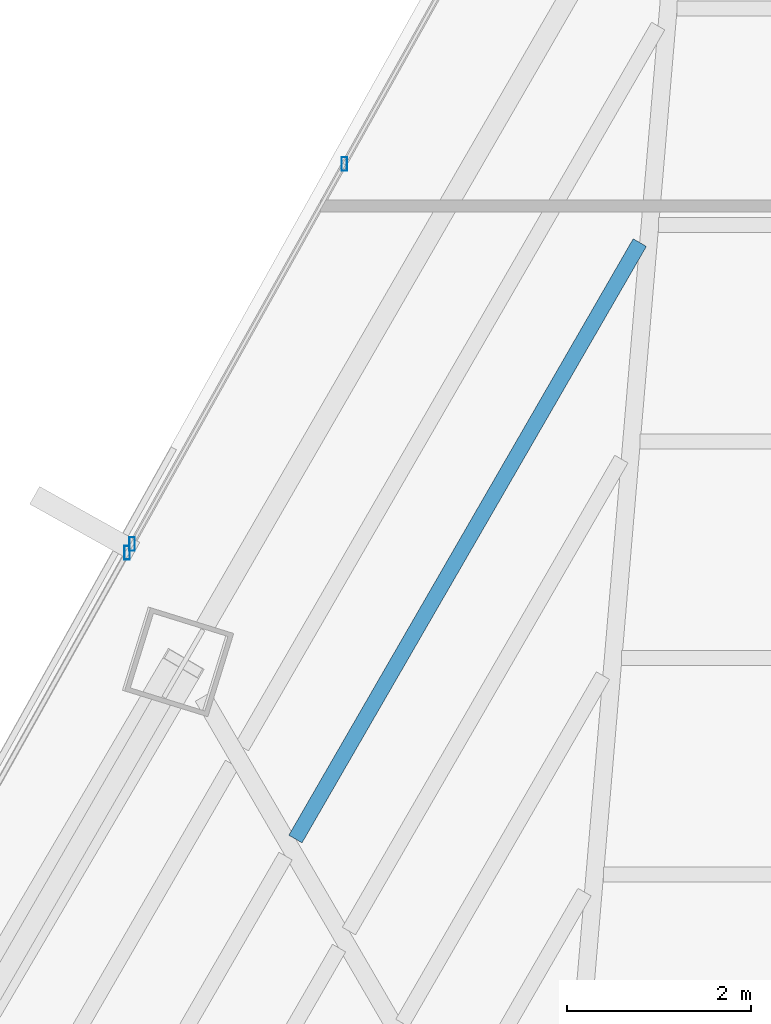
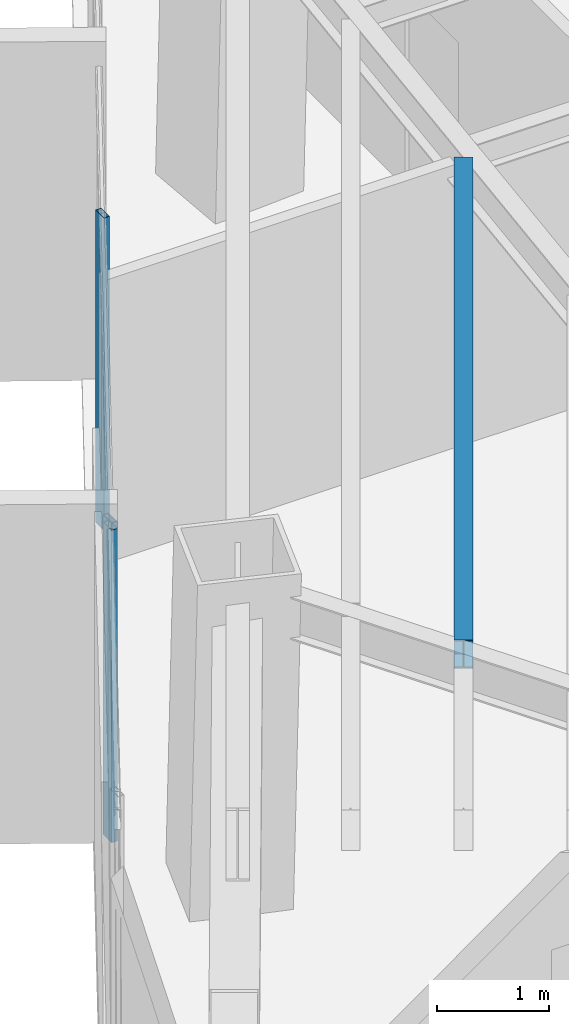
# One storey, part 26 of 38: 3 members, 1 beam, 2 elements without a shape of their own.
"""IFC4 building model written with IfcOpenShell, lengths in metres."""

import ifcopenshell
import ifcopenshell.guid

model = None  # the IFC model being written
_history = None  # IfcOwnerHistory: only IFC2X3 demands one
_inside = {}  # id of a spatial element -> (the spatial element, [elements in it])
_under = {}  # id of a project, library or spatial element -> (it, [spatial elements below it])
_declared = {}  # id of a project -> (the project, [libraries it declares])
_typed = {}  # id of a type object -> (the type object, [elements of that type])
_made_of = {}  # id of a material, layer set ... -> (it, [elements and type objects made of it])


def new_model(schema):
    """Start an empty IFC model of exactly this schema.

    Asked for "IFC4X3", IfcOpenShell would pick the latest addendum, in which some entities
    have other attributes; the version numbers below select the first issue.
    IFC2X3 requires an IfcOwnerHistory on every rooted entity: one is made here for all.
    """
    global model, _history
    if schema == "IFC4X3":
        model = ifcopenshell.file(schema_version=(4, 3, 0, 0))
    else:
        model = ifcopenshell.file(schema=schema)
    _inside.clear()
    _under.clear()
    _declared.clear()
    _typed.clear()
    _made_of.clear()
    _history = None
    if model.schema == "IFC2X3":
        org = make("IfcOrganization", Name="unknown")
        user = make(
            "IfcPersonAndOrganization",
            ThePerson=make("IfcPerson", FamilyName="unknown"),
            TheOrganization=org,
        )
        app = make(
            "IfcApplication",
            ApplicationDeveloper=org,
            Version="unknown",
            ApplicationFullName="unknown",
            ApplicationIdentifier="unknown",
        )
        _history = make(
            "IfcOwnerHistory",
            OwningUser=user,
            OwningApplication=app,
            ChangeAction="ADDED",
            CreationDate=0,
        )
    return model


def make(cls, **values):
    """One entity of the class cls with the attributes given. An attribute that is None is left unset."""
    return model.create_entity(
        cls, **{name: value for name, value in values.items() if value is not None}
    )


def rooted(cls, **values):
    """An entity with a GlobalId (a new one), such as an element, a storey or a relation."""
    return make(cls, GlobalId=ifcopenshell.guid.new(), OwnerHistory=_history, **values)


def si_unit(unit_type, name, prefix=None):
    """IfcSIUnit, for example si_unit("LENGTHUNIT", "METRE", prefix="MILLI")."""
    return make("IfcSIUnit", UnitType=unit_type, Prefix=prefix, Name=name)


def assignment(units):
    """IfcUnitAssignment: the units of a project."""
    return None if units is None else make("IfcUnitAssignment", Units=units)


def point(xyz):
    """IfcCartesianPoint."""
    return None if xyz is None else make("IfcCartesianPoint", Coordinates=xyz)


def direction(xyz):
    """IfcDirection."""
    return None if xyz is None else make("IfcDirection", DirectionRatios=xyz)


def frame(location, z_axis=None, x_axis=None):
    """IfcAxis2Placement3D, a coordinate frame: its origin and axes. An axis left out is left unset."""
    return make(
        "IfcAxis2Placement3D",
        Location=point(location),
        Axis=direction(z_axis),
        RefDirection=direction(x_axis),
    )


def frame_2d(location, x_axis=None):
    """IfcAxis2Placement2D, a coordinate frame in the plane: its origin and x axis."""
    return make(
        "IfcAxis2Placement2D", Location=point(location), RefDirection=direction(x_axis)
    )


def origin():
    """The frame at (0, 0, 0) with its axes left unset."""
    return frame((0.0, 0.0, 0.0))


def origin_2d():
    """The frame at (0, 0) in the plane with its x axis left unset."""
    return frame_2d((0.0, 0.0))


def place(relative_to, where):
    """IfcLocalPlacement: puts the frame where relative to a parent placement (None: the world)."""
    return make(
        "IfcLocalPlacement", PlacementRelTo=relative_to, RelativePlacement=where
    )


def context(
    kind, dimensions, precision=None, world=None, true_north=None, identifier=None
):
    """IfcGeometricRepresentationContext, for example the 3D "Model" context."""
    return make(
        "IfcGeometricRepresentationContext",
        ContextIdentifier=identifier,
        ContextType=kind,
        CoordinateSpaceDimension=dimensions,
        Precision=precision,
        WorldCoordinateSystem=world,
        TrueNorth=true_north,
    )


def subcontext(parent, identifier, kind, view, scale=None):
    """IfcGeometricRepresentationSubContext, for example "Body" below "Model"."""
    return make(
        "IfcGeometricRepresentationSubContext",
        ContextIdentifier=identifier,
        ContextType=kind,
        ParentContext=parent,
        TargetScale=scale,
        TargetView=view,
    )


def project(units=None, contexts=None):
    """IfcProject with its units and contexts."""
    return rooted(
        "IfcProject",
        Name="project",
        RepresentationContexts=contexts,
        UnitsInContext=assignment(units),
    )


def spatial(cls, under=None, at=None, **own):
    """A site, building, storey or space (cls), placed at a placement, below another one or the project."""
    s = rooted(cls, ObjectPlacement=at, **own)
    if under is not None:
        _under.setdefault(under.id(), (under, []))[1].append(s)
    return s


def profile(cls, at=None, kind="AREA", **sizes):
    """A parametric profile (cls). Its sizes go by their IFC names, for example OverallWidth=200.0."""
    return make(cls, ProfileType=kind, Position=at, **sizes)


def hollow_rectangle(**sizes):
    """IfcRectangleHollowProfileDef."""
    return profile("IfcRectangleHollowProfileDef", **sizes)


def i_section(**sizes):
    """IfcIShapeProfileDef."""
    return profile("IfcIShapeProfileDef", **sizes)


def extrude(swept, where, along, depth):
    """IfcExtrudedAreaSolid: the profile swept, set in the frame where, extruded along a direction by depth."""
    return make(
        "IfcExtrudedAreaSolid",
        SweptArea=swept,
        Position=where,
        ExtrudedDirection=direction(along),
        Depth=depth,
    )


def shape(context_of_items, identifier, shape_type, items):
    """IfcShapeRepresentation: the items that make up one representation, for example the "Body"."""
    return make(
        "IfcShapeRepresentation",
        ContextOfItems=context_of_items,
        RepresentationIdentifier=identifier,
        RepresentationType=shape_type,
        Items=items,
    )


def source(mapping_origin, context_of_items, identifier, shape_type, items):
    """IfcRepresentationMap: a shape defined once, which mapped items show again and again."""
    return make(
        "IfcRepresentationMap",
        MappingOrigin=mapping_origin,
        MappedRepresentation=shape(context_of_items, identifier, shape_type, items),
    )


def transform(
    local_origin,
    x_axis=None,
    y_axis=None,
    z_axis=None,
    scale=None,
    scale2=None,
    scale3=None,
    uniform=True,
):
    """IfcCartesianTransformationOperator3D, or its non-uniform kind. x_axis, y_axis, z_axis: its Axis1, 2, 3."""
    if uniform:
        return make(
            "IfcCartesianTransformationOperator3D",
            Axis1=direction(x_axis),
            Axis2=direction(y_axis),
            LocalOrigin=point(local_origin),
            Scale=scale,
            Axis3=direction(z_axis),
        )
    return make(
        "IfcCartesianTransformationOperator3DnonUniform",
        Axis1=direction(x_axis),
        Axis2=direction(y_axis),
        LocalOrigin=point(local_origin),
        Scale=scale,
        Axis3=direction(z_axis),
        Scale2=scale2,
        Scale3=scale3,
    )


def mapped(mapping_source, mapping_target):
    """IfcMappedItem: shows the shape of a source again, moved by a transform."""
    return make(
        "IfcMappedItem", MappingSource=mapping_source, MappingTarget=mapping_target
    )


def material(Name=None, Category=None):
    """IfcMaterial."""
    return make("IfcMaterial", Name=Name, Category=Category)


def material_profile(
    of_material, cross_section, Name=None, Category=None, Priority=None
):
    """IfcMaterialProfile: a cross section and its material."""
    return make(
        "IfcMaterialProfile",
        Name=Name,
        Material=of_material,
        Profile=cross_section,
        Priority=Priority,
        Category=Category,
    )


def profile_set(profiles, Name=None, composite=None):
    """IfcMaterialProfileSet."""
    return make(
        "IfcMaterialProfileSet",
        Name=Name,
        MaterialProfiles=profiles,
        CompositeProfile=composite,
    )


def made_of(thing, what):
    """Note that an element or type object is made of a material, layer set ...; save() writes the relation."""
    if what is not None:
        _made_of.setdefault(what.id(), (what, []))[1].append(thing)
    return thing


def type_object(cls, material=None, **own):
    """A type object (cls), such as IfcWallType, which elements share."""
    return made_of(rooted(cls, **own), material)


def type_shapes(of_type, sources):
    """Give a type object the sources (RepresentationMaps) that its elements show as mapped items."""
    of_type.RepresentationMaps = sources


def element(
    cls,
    number,
    at=None,
    inside=None,
    cuts=None,
    type_object=None,
    material=None,
    context=None,
    identifier="Body",
    shape_type=None,
    held_by="IfcProductDefinitionShape",
    body=None,
    shapes=None,
    **own,
):
    """One element of the class cls, such as IfcWall. Its Tag is "e" and its number.

    at: its placement. inside: the storey or other place that contains it. cuts: it is an
    opening in that element (IfcRelVoidsElement). A single representation is given by context,
    identifier, shape_type and body (its items); several are given by shapes. held_by: the class
    of the entity that holds the representations. save() writes the other relations.
    """
    e = rooted(cls, Tag="e%d" % number, ObjectPlacement=at, **own)
    if body is not None:
        shapes = [shape(context, identifier, shape_type, body)]
    if shapes is not None:
        e.Representation = make(held_by, Representations=shapes)
    if inside is not None:
        _inside.setdefault(inside.id(), (inside, []))[1].append(e)
    if cuts is not None:
        rooted(
            "IfcRelVoidsElement", RelatingBuildingElement=cuts, RelatedOpeningElement=e
        )
    if type_object is not None:
        _typed.setdefault(type_object.id(), (type_object, []))[1].append(e)
    return made_of(e, material)


def aggregate(whole, parts):
    """IfcRelAggregates: a whole, such as a stair, and the parts it consists of."""
    return rooted("IfcRelAggregates", RelatingObject=whole, RelatedObjects=parts)


def save(model, path):
    """Write the relations noted so far, then the file.

    IfcRelAggregates (storeys below a building ...), IfcRelContainedInSpatialStructure (elements
    in a storey), IfcRelDefinesByType, IfcRelAssociatesMaterial and IfcRelDeclares: one each for
    every whole, place, type object, material and project.
    """
    for whole, parts in _under.values():
        aggregate(whole, parts)
    for where, things in _inside.values():
        rooted(
            "IfcRelContainedInSpatialStructure",
            RelatedElements=things,
            RelatingStructure=where,
        )
    for kind, things in _typed.values():
        rooted("IfcRelDefinesByType", RelatedObjects=things, RelatingType=kind)
    for what, things in _made_of.values():
        rooted("IfcRelAssociatesMaterial", RelatedObjects=things, RelatingMaterial=what)
    for by, libraries in _declared.values():
        rooted("IfcRelDeclares", RelatingContext=by, RelatedDefinitions=libraries)
    model.write(path)


model = new_model("IFC4")

# Units and contexts
model_context = context("Model", 3, precision=1e-05, world=origin(), true_north=direction((0.0, 1.0)))
body_context = subcontext(model_context, "Body", "Model", "MODEL_VIEW")
ifc_project = project(units=[si_unit("LENGTHUNIT", "METRE"), si_unit("AREAUNIT", "SQUARE_METRE"), si_unit("VOLUMEUNIT", "CUBIC_METRE"), si_unit("PLANEANGLEUNIT", "RADIAN"), si_unit("MASSUNIT", "GRAM", prefix="KILO")], contexts=[model_context])

# Site, building, storey
site_placement = place(None, origin())
site = spatial("IfcSite", under=ifc_project, at=site_placement, CompositionType="ELEMENT")
building_placement = place(site_placement, origin())
building = spatial("IfcBuilding", under=site, at=building_placement, Name="Caelisora Broadcast Tower", CompositionType="ELEMENT")
storey_placement = place(building_placement, frame((0.0, 0.0, 158.5)))
storey = spatial("IfcBuildingStorey", under=building, at=storey_placement, Name="L41", CompositionType="ELEMENT", Elevation=158.5)

# Beam
ifc_material_1 = material(Name="Steel Grade 350 (AS/NZS 3679.1)", Category="steel")
ifc_material_profile_1 = material_profile(ifc_material_1, i_section(OverallWidth=0.166015625, OverallDepth=0.30712890625, WebThickness=0.006591796875, FlangeThickness=0.01171875, at=origin_2d()), Name="Steel Grade 350 (AS/NZS 3679.1)")
ifc_profile_set_1 = profile_set([ifc_material_profile_1], Name="Steel Grade 350 (AS/NZS 3679.1)")
beam_type = type_object("IfcBeamType", Name="SB03", PredefinedType="JOIST", material=ifc_profile_set_1)
shared_shape_1 = source(origin(), body_context, "Body", "SweptSolid", [
    extrude(i_section(OverallWidth=0.166015625, OverallDepth=0.30712890625, WebThickness=0.006591796875, FlangeThickness=0.01171875, at=origin_2d()), origin(), (0.0, 0.0, 1.0), 7.501708984375),
])
type_shapes(beam_type, [shared_shape_1])
beam_placement = place(storey_placement, frame((31.39111328125, 41.599853515625, 3.246337890625), z_axis=(-0.500017313785, -0.866015407435, 0.0), x_axis=(0.866015407435, -0.500017313785, 0.0)))
element("IfcBeam", 1, at=beam_placement, inside=storey, type_object=beam_type, Name="L41 beam SB03", PredefinedType="JOIST", context=body_context, shape_type="MappedRepresentation", body=[
    mapped(shared_shape_1, transform((0.0, 0.0, 0.0), scale=1.0)),
])

# Curtain wall, member
ifc_material_2 = material(Name="Unitised Aluminium Insulated Shadow-Box Spandrel Curtain Wall", Category="aluminium")
curtain_wall_type_1 = type_object("IfcCurtainWallType", Name="CW-SP2", PredefinedType="NOTDEFINED", material=ifc_material_2)
curtain_wall_1_placement = place(storey_placement, origin())
curtain_wall_1 = element("IfcCurtainWall", 2, at=curtain_wall_1_placement, inside=storey, type_object=curtain_wall_type_1, Name="L41 curtain wall CW-SP2", PredefinedType="NOTDEFINED")
ifc_material_3 = material(Name="Aluminium 6063-T6 Anodised Terracotta Bronze", Category="aluminium")
ifc_material_profile_2 = material_profile(ifc_material_3, hollow_rectangle(XDim=0.06005859375, YDim=0.14990234375, WallThickness=0.00341796875, at=origin_2d()), Name="Aluminium 6063-T6 Anodised Terracotta Bronze")
ifc_profile_set_2 = profile_set([ifc_material_profile_2], Name="Aluminium 6063-T6 Anodised Terracotta Bronze")
member_type = type_object("IfcMemberType", Name="CWM-03", PredefinedType="MULLION", material=ifc_profile_set_2)
shared_shape_2 = source(origin(), body_context, "Body", "SweptSolid", [
    extrude(hollow_rectangle(XDim=0.06005859375, YDim=0.14990234375, WallThickness=0.00341796875, at=origin_2d()), origin(), (0.0, 0.0, 1.0), 3.39990234375),
])
type_shapes(member_type, [shared_shape_2])
member_1_placement = place(storey_placement, frame((25.807373046875, 38.2216796875, 0.0), z_axis=(0.0, 0.0, 1.0), x_axis=(1.0, 0.0, 0.0)))
member_1 = element("IfcMember", 3, at=member_1_placement, type_object=member_type, Name="L41-CW-B10 mullion #3", PredefinedType="MULLION", context=body_context, shape_type="MappedRepresentation", body=[
    mapped(shared_shape_2, transform((0.0, 0.0, 0.0), scale=1.0)),
])
aggregate(curtain_wall_1, [member_1])

# Curtain wall, members
ifc_material_4 = material(Name="Unitised Aluminium and Low-E Glass Curtain Wall", Category="glass")
curtain_wall_type_2 = type_object("IfcCurtainWallType", Name="CW-Z3", PredefinedType="NOTDEFINED", material=ifc_material_4)
curtain_wall_2_placement = place(storey_placement, origin())
curtain_wall_2 = element("IfcCurtainWall", 4, at=curtain_wall_2_placement, inside=storey, type_object=curtain_wall_type_2, Name="L41 curtain wall CW-Z3", PredefinedType="NOTDEFINED")
member_2_placement = place(storey_placement, frame((25.861083984375, 38.317626953125, 0.0), z_axis=(0.0, 0.0, 1.0), x_axis=(1.0, 0.0, 0.0)))
member_2 = element("IfcMember", 5, at=member_2_placement, type_object=member_type, Name="L41-CW-B11 mullion #0", PredefinedType="MULLION", context=body_context, shape_type="MappedRepresentation", body=[
    mapped(shared_shape_2, transform((0.0, 0.0, 0.0), scale=1.0)),
])
member_3_placement = place(storey_placement, frame((28.172119140625, 42.455810546875, 0.0), z_axis=(0.0, 0.0, 1.0), x_axis=(1.0, 0.0, 0.0)))
member_3 = element("IfcMember", 6, at=member_3_placement, type_object=member_type, Name="L41-CW-B11 mullion #1", PredefinedType="MULLION", context=body_context, shape_type="MappedRepresentation", body=[
    mapped(shared_shape_2, transform((0.0, 0.0, 0.0), scale=1.0)),
])
aggregate(curtain_wall_2, [member_2, member_3])

save(model, "model.ifc")
